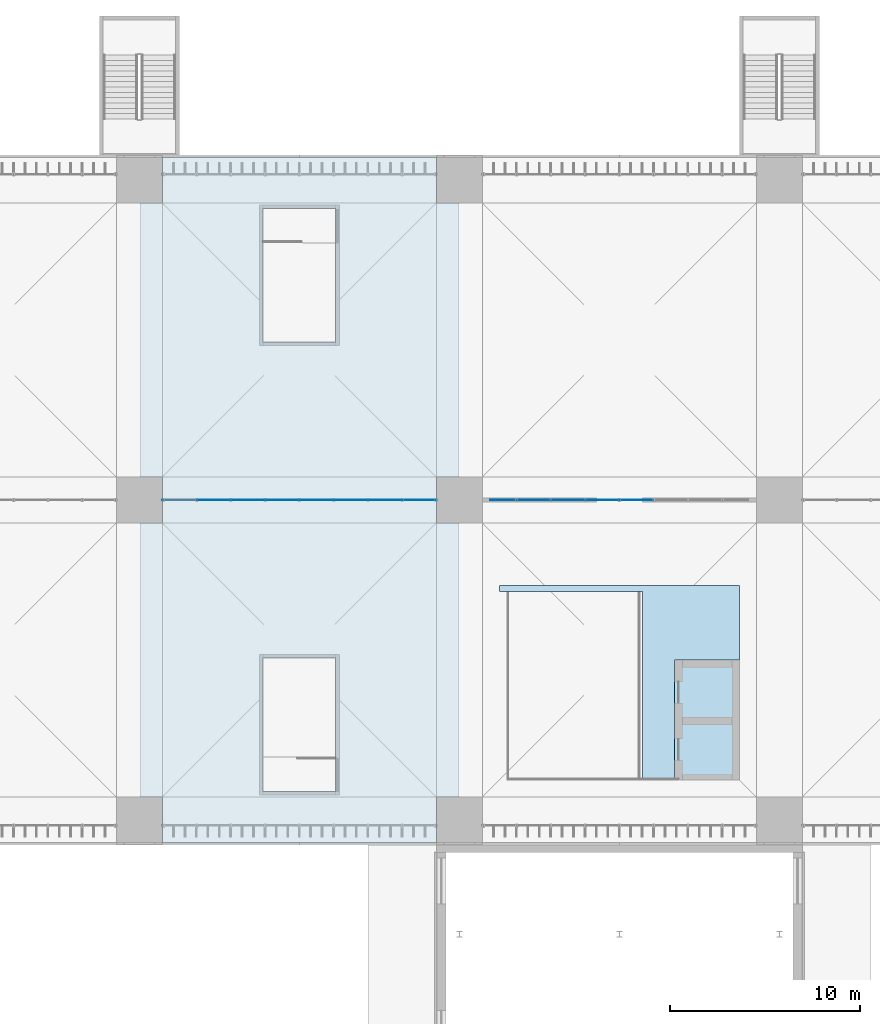
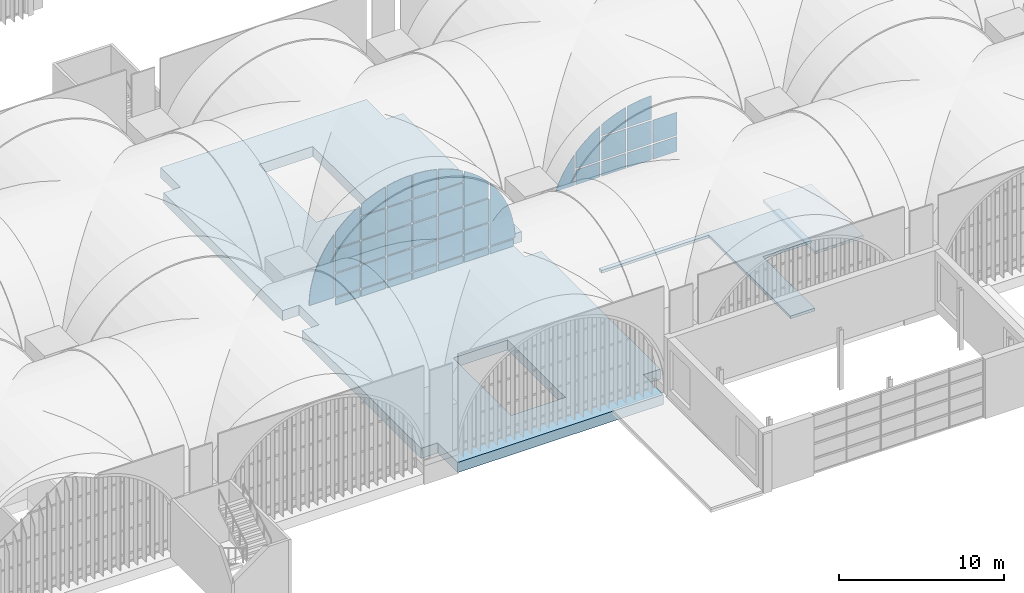
# One storey, part 82 of 169: 42 plates, 3 slabs, 2 elements without a shape of their own.
"""IFC4 building model written with IfcOpenShell, lengths in metres."""

import ifcopenshell
import ifcopenshell.guid

model = None  # the IFC model being written
_history = None  # IfcOwnerHistory: only IFC2X3 demands one
_inside = {}  # id of a spatial element -> (the spatial element, [elements in it])
_under = {}  # id of a project, library or spatial element -> (it, [spatial elements below it])
_declared = {}  # id of a project -> (the project, [libraries it declares])
_typed = {}  # id of a type object -> (the type object, [elements of that type])
_made_of = {}  # id of a material, layer set ... -> (it, [elements and type objects made of it])


def new_model(schema):
    """Start an empty IFC model of exactly this schema.

    Asked for "IFC4X3", IfcOpenShell would pick the latest addendum, in which some entities
    have other attributes; the version numbers below select the first issue.
    IFC2X3 requires an IfcOwnerHistory on every rooted entity: one is made here for all.
    """
    global model, _history
    if schema == "IFC4X3":
        model = ifcopenshell.file(schema_version=(4, 3, 0, 0))
    else:
        model = ifcopenshell.file(schema=schema)
    _inside.clear()
    _under.clear()
    _declared.clear()
    _typed.clear()
    _made_of.clear()
    _history = None
    if model.schema == "IFC2X3":
        org = make("IfcOrganization", Name="unknown")
        user = make(
            "IfcPersonAndOrganization",
            ThePerson=make("IfcPerson", FamilyName="unknown"),
            TheOrganization=org,
        )
        app = make(
            "IfcApplication",
            ApplicationDeveloper=org,
            Version="unknown",
            ApplicationFullName="unknown",
            ApplicationIdentifier="unknown",
        )
        _history = make(
            "IfcOwnerHistory",
            OwningUser=user,
            OwningApplication=app,
            ChangeAction="ADDED",
            CreationDate=0,
        )
    return model


def make(cls, **values):
    """One entity of the class cls with the attributes given. An attribute that is None is left unset."""
    return model.create_entity(
        cls, **{name: value for name, value in values.items() if value is not None}
    )


def rooted(cls, **values):
    """An entity with a GlobalId (a new one), such as an element, a storey or a relation."""
    return make(cls, GlobalId=ifcopenshell.guid.new(), OwnerHistory=_history, **values)


def si_unit(unit_type, name, prefix=None):
    """IfcSIUnit, for example si_unit("LENGTHUNIT", "METRE", prefix="MILLI")."""
    return make("IfcSIUnit", UnitType=unit_type, Prefix=prefix, Name=name)


def assignment(units):
    """IfcUnitAssignment: the units of a project."""
    return None if units is None else make("IfcUnitAssignment", Units=units)


def point(xyz):
    """IfcCartesianPoint."""
    return None if xyz is None else make("IfcCartesianPoint", Coordinates=xyz)


def direction(xyz):
    """IfcDirection."""
    return None if xyz is None else make("IfcDirection", DirectionRatios=xyz)


def frame(location, z_axis=None, x_axis=None):
    """IfcAxis2Placement3D, a coordinate frame: its origin and axes. An axis left out is left unset."""
    return make(
        "IfcAxis2Placement3D",
        Location=point(location),
        Axis=direction(z_axis),
        RefDirection=direction(x_axis),
    )


def origin():
    """The frame at (0, 0, 0) with its axes left unset."""
    return frame((0.0, 0.0, 0.0))


def place(relative_to, where):
    """IfcLocalPlacement: puts the frame where relative to a parent placement (None: the world)."""
    return make(
        "IfcLocalPlacement", PlacementRelTo=relative_to, RelativePlacement=where
    )


def context(
    kind, dimensions, precision=None, world=None, true_north=None, identifier=None
):
    """IfcGeometricRepresentationContext, for example the 3D "Model" context."""
    return make(
        "IfcGeometricRepresentationContext",
        ContextIdentifier=identifier,
        ContextType=kind,
        CoordinateSpaceDimension=dimensions,
        Precision=precision,
        WorldCoordinateSystem=world,
        TrueNorth=true_north,
    )


def subcontext(parent, identifier, kind, view, scale=None):
    """IfcGeometricRepresentationSubContext, for example "Body" below "Model"."""
    return make(
        "IfcGeometricRepresentationSubContext",
        ContextIdentifier=identifier,
        ContextType=kind,
        ParentContext=parent,
        TargetScale=scale,
        TargetView=view,
    )


def project(units=None, contexts=None):
    """IfcProject with its units and contexts."""
    return rooted(
        "IfcProject",
        Name="project",
        RepresentationContexts=contexts,
        UnitsInContext=assignment(units),
    )


def spatial(cls, under=None, at=None, **own):
    """A site, building, storey or space (cls), placed at a placement, below another one or the project."""
    s = rooted(cls, ObjectPlacement=at, **own)
    if under is not None:
        _under.setdefault(under.id(), (under, []))[1].append(s)
    return s


def polyline(points):
    """IfcPolyline through the points."""
    return make("IfcPolyline", Points=[point(p) for p in points])


def outline(outer, holes=None, kind="AREA"):
    """IfcArbitraryClosedProfileDef: a profile drawn as a closed curve; with holes, ...WithVoids."""
    if holes is None:
        return make("IfcArbitraryClosedProfileDef", ProfileType=kind, OuterCurve=outer)
    return make(
        "IfcArbitraryProfileDefWithVoids",
        ProfileType=kind,
        OuterCurve=outer,
        InnerCurves=holes,
    )


def extrude(swept, where, along, depth):
    """IfcExtrudedAreaSolid: the profile swept, set in the frame where, extruded along a direction by depth."""
    return make(
        "IfcExtrudedAreaSolid",
        SweptArea=swept,
        Position=where,
        ExtrudedDirection=direction(along),
        Depth=depth,
    )


def shape(context_of_items, identifier, shape_type, items):
    """IfcShapeRepresentation: the items that make up one representation, for example the "Body"."""
    return make(
        "IfcShapeRepresentation",
        ContextOfItems=context_of_items,
        RepresentationIdentifier=identifier,
        RepresentationType=shape_type,
        Items=items,
    )


def material(Name=None, Category=None):
    """IfcMaterial."""
    return make("IfcMaterial", Name=Name, Category=Category)


def layer(
    of_material, thickness, ventilated=None, Name=None, Category=None, Priority=None
):
    """IfcMaterialLayer: one layer of a wall or slab, of a material (None: an air gap)."""
    return make(
        "IfcMaterialLayer",
        Material=of_material,
        LayerThickness=thickness,
        IsVentilated=ventilated,
        Name=Name,
        Category=Category,
        Priority=Priority,
    )


def layer_set(layers, Name=None):
    """IfcMaterialLayerSet."""
    return make("IfcMaterialLayerSet", MaterialLayers=layers, LayerSetName=Name)


def made_of(thing, what):
    """Note that an element or type object is made of a material, layer set ...; save() writes the relation."""
    if what is not None:
        _made_of.setdefault(what.id(), (what, []))[1].append(thing)
    return thing


def type_object(cls, material=None, **own):
    """A type object (cls), such as IfcWallType, which elements share."""
    return made_of(rooted(cls, **own), material)


def element(
    cls,
    number,
    at=None,
    inside=None,
    cuts=None,
    type_object=None,
    material=None,
    context=None,
    identifier="Body",
    shape_type=None,
    held_by="IfcProductDefinitionShape",
    body=None,
    shapes=None,
    **own,
):
    """One element of the class cls, such as IfcWall. Its Tag is "e" and its number.

    at: its placement. inside: the storey or other place that contains it. cuts: it is an
    opening in that element (IfcRelVoidsElement). A single representation is given by context,
    identifier, shape_type and body (its items); several are given by shapes. held_by: the class
    of the entity that holds the representations. save() writes the other relations.
    """
    e = rooted(cls, Tag="e%d" % number, ObjectPlacement=at, **own)
    if body is not None:
        shapes = [shape(context, identifier, shape_type, body)]
    if shapes is not None:
        e.Representation = make(held_by, Representations=shapes)
    if inside is not None:
        _inside.setdefault(inside.id(), (inside, []))[1].append(e)
    if cuts is not None:
        rooted(
            "IfcRelVoidsElement", RelatingBuildingElement=cuts, RelatedOpeningElement=e
        )
    if type_object is not None:
        _typed.setdefault(type_object.id(), (type_object, []))[1].append(e)
    return made_of(e, material)


def aggregate(whole, parts):
    """IfcRelAggregates: a whole, such as a stair, and the parts it consists of."""
    return rooted("IfcRelAggregates", RelatingObject=whole, RelatedObjects=parts)


def save(model, path):
    """Write the relations noted so far, then the file.

    IfcRelAggregates (storeys below a building ...), IfcRelContainedInSpatialStructure (elements
    in a storey), IfcRelDefinesByType, IfcRelAssociatesMaterial and IfcRelDeclares: one each for
    every whole, place, type object, material and project.
    """
    for whole, parts in _under.values():
        aggregate(whole, parts)
    for where, things in _inside.values():
        rooted(
            "IfcRelContainedInSpatialStructure",
            RelatedElements=things,
            RelatingStructure=where,
        )
    for kind, things in _typed.values():
        rooted("IfcRelDefinesByType", RelatedObjects=things, RelatingType=kind)
    for what, things in _made_of.values():
        rooted("IfcRelAssociatesMaterial", RelatedObjects=things, RelatingMaterial=what)
    for by, libraries in _declared.values():
        rooted("IfcRelDeclares", RelatingContext=by, RelatedDefinitions=libraries)
    model.write(path)


model = new_model("IFC4")

# Units and contexts
model_context = context("Model", 3, precision=1e-05, world=origin(), true_north=direction((0.0, 1.0)))
body_context = subcontext(model_context, "Body", "Model", "MODEL_VIEW")
ifc_project = project(units=[si_unit("LENGTHUNIT", "METRE"), si_unit("AREAUNIT", "SQUARE_METRE"), si_unit("VOLUMEUNIT", "CUBIC_METRE"), si_unit("PLANEANGLEUNIT", "RADIAN"), si_unit("MASSUNIT", "GRAM", prefix="KILO")], contexts=[model_context])

# Site, building, storey
site_placement = place(None, origin())
site = spatial("IfcSite", under=ifc_project, at=site_placement, CompositionType="ELEMENT")
building_placement = place(site_placement, origin())
building = spatial("IfcBuilding", under=site, at=building_placement, Name="Verrick Yard Athletic Hall", CompositionType="ELEMENT")
storey_placement = place(building_placement, frame((0.0, 0.0, 4.39990234375)))
storey = spatial("IfcBuildingStorey", under=building, at=storey_placement, Name="L01", CompositionType="ELEMENT", Elevation=4.39990234375)

# Slabs
ifc_material_1 = material(Name="Concrete 35 MPa", Category="concrete")
ifc_layer_1 = layer(ifc_material_1, 0.199951171875)
ifc_layer_set_1 = layer_set([ifc_layer_1], Name="Core floor slab 200")
slab_type_1 = type_object("IfcSlabType", Name="Core floor slab 200", PredefinedType="FLOOR", material=ifc_layer_set_1)
slab_1_placement = place(storey_placement, frame((0.0, 0.0, -0.199951171875)))
element("IfcSlab", 1, at=slab_1_placement, inside=storey, type_object=slab_type_1, Name="CORE-FOY-LOB-L01", PredefinedType="FLOOR", context=body_context, shape_type="SweptSolid", body=[
    extrude(outline(polyline([(100.0, 21.300048828125), (101.699951171875, 21.300048828125), (101.699951171875, 27.60009765625), (105.10009765625, 27.60009765625), (105.10009765625, 31.5), (92.5, 31.5), (92.5, 31.199951171875), (100.0, 31.199951171875), (100.0, 21.300048828125)])), origin(), (0.0, 0.0, 1.0), 0.199951171875),
])
ifc_layer_2 = layer(ifc_material_1, 0.199951171875)
ifc_layer_set_2 = layer_set([ifc_layer_2], Name="Core roof slab 200")
slab_type_2 = type_object("IfcSlabType", Name="Core roof slab 200", PredefinedType="ROOF", material=ifc_layer_set_2)
slab_2_placement = place(storey_placement, frame((0.0, 0.0, 4.0)))
element("IfcSlab", 2, at=slab_2_placement, inside=storey, type_object=slab_type_2, Name="CORE-FOY-COVER", PredefinedType="ROOF", context=body_context, shape_type="SweptSolid", body=[
    extrude(outline(polyline([(101.699951171875, 21.300048828125), (105.10009765625, 21.300048828125), (105.10009765625, 27.60009765625), (101.699951171875, 27.60009765625), (101.699951171875, 21.300048828125)])), origin(), (0.0, 0.0, 1.0), 0.2001953125),
])

# Curtain wall, plates
ifc_material_2 = material(Name="Aluminium and glass curtain wall", Category="aluminium")
ifc_layer_3 = layer(ifc_material_2, 0.14990234375)
ifc_layer_set_3 = layer_set([ifc_layer_3], Name="Concourse arch screen")
curtain_wall_type_1 = type_object("IfcCurtainWallType", Name="Concourse arch screen", PredefinedType="NOTDEFINED", material=ifc_layer_set_3)
curtain_wall_1_placement = place(storey_placement, origin())
curtain_wall_1 = element("IfcCurtainWall", 3, at=curtain_wall_1_placement, inside=storey, type_object=curtain_wall_type_1, Name="Concourse screen 3", PredefinedType="NOTDEFINED")
ifc_material_3 = material(Name="Laminated glass 28 mm", Category="glass")
ifc_layer_4 = layer(ifc_material_3, 0.028076171875)
ifc_layer_set_4 = layer_set([ifc_layer_4], Name="Curtain wall glass panel")
plate_type = type_object("IfcPlateType", Name="Curtain wall glass panel", PredefinedType="CURTAIN_PANEL", material=ifc_layer_set_4)
plate_1_placement = place(storey_placement, frame((74.800048828125, 36.0, 0.700927734375), z_axis=(0.0, 0.0, 1.0), x_axis=(1.0, 0.0, 0.0)))
plate_1 = element("IfcPlate", 4, at=plate_1_placement, type_object=plate_type, Name="Concourse screen 3 panel 2", PredefinedType="CURTAIN_PANEL", context=body_context, shape_type="SweptSolid", body=[
    extrude(outline(polyline([(1.749267578125, 4.651123046875), (1.6845703125, 4.5771484375), (1.48779296875, 4.332275390625), (1.302001953125, 4.078857421875), (1.127685546875, 3.81787109375), (0.964599609375, 3.549072265625), (0.8134765625, 3.273681640625), (0.674560546875, 2.9921875), (0.548095703125, 2.70458984375), (0.43408203125, 2.41162109375), (0.333251953125, 2.1142578125), (0.245361328125, 1.812744140625), (0.170654296875, 1.507568359375), (0.109375, 1.199462890625), (0.0615234375, 0.888916015625), (0.02734375, 0.57666015625), (0.0068359375, 0.26318359375), (0.001220703125, 0.0), (1.749267578125, 0.0), (1.749267578125, 4.651123046875)])), frame((0.0, 0.01416015625, 0.0), z_axis=(0.0, -1.0, 0.0), x_axis=(1.0, 0.0, 0.0)), (0.0, 0.0, 1.0), 0.028076171875),
])
plate_2_placement = place(storey_placement, frame((74.800048828125, 36.0, 0.101806640625), z_axis=(0.0, 0.0, 1.0), x_axis=(1.0, 0.0, 0.0)))
plate_2 = element("IfcPlate", 5, at=plate_2_placement, type_object=plate_type, Name="Concourse screen 3 panel 3", PredefinedType="CURTAIN_PANEL", context=body_context, shape_type="SweptSolid", body=[
    extrude(outline(polyline([(3.54931640625, 0.0), (3.54931640625, 0.49755859375), (1.850830078125, 0.49755859375), (1.850830078125, 0.0), (3.54931640625, 0.0)])), frame((0.0, 0.01416015625, 0.0), z_axis=(0.0, -1.0, 0.0), x_axis=(1.0, 0.0, 0.0)), (0.0, 0.0, 1.0), 0.028076171875),
])
plate_3_placement = place(storey_placement, frame((74.800048828125, 36.0, 0.700927734375), z_axis=(0.0, 0.0, 1.0), x_axis=(1.0, 0.0, 0.0)))
plate_3 = element("IfcPlate", 6, at=plate_3_placement, type_object=plate_type, Name="Concourse screen 3 panel 4", PredefinedType="CURTAIN_PANEL", context=body_context, shape_type="SweptSolid", body=[
    extrude(outline(polyline([(3.54931640625, 0.0), (3.54931640625, 1.698486328125), (1.850830078125, 1.698486328125), (1.850830078125, 0.0), (3.54931640625, 0.0)])), frame((0.0, 0.01416015625, 0.0), z_axis=(0.0, -1.0, 0.0), x_axis=(1.0, 0.0, 0.0)), (0.0, 0.0, 1.0), 0.028076171875),
])
plate_4_placement = place(storey_placement, frame((74.800048828125, 36.0, 2.5009765625), z_axis=(0.0, 0.0, 1.0), x_axis=(1.0, 0.0, 0.0)))
plate_4 = element("IfcPlate", 7, at=plate_4_placement, type_object=plate_type, Name="Concourse screen 3 panel 5", PredefinedType="CURTAIN_PANEL", context=body_context, shape_type="SweptSolid", body=[
    extrude(outline(polyline([(3.54931640625, 0.0), (3.54931640625, 1.6982421875), (1.850830078125, 1.6982421875), (1.850830078125, 0.0), (3.54931640625, 0.0)])), frame((0.0, 0.01416015625, 0.0), z_axis=(0.0, -1.0, 0.0), x_axis=(1.0, 0.0, 0.0)), (0.0, 0.0, 1.0), 0.028076171875),
])
plate_5_placement = place(storey_placement, frame((74.800048828125, 36.0, 4.30078125), z_axis=(0.0, 0.0, 1.0), x_axis=(1.0, 0.0, 0.0)))
plate_5 = element("IfcPlate", 8, at=plate_5_placement, type_object=plate_type, Name="Concourse screen 3 panel 6", PredefinedType="CURTAIN_PANEL", context=body_context, shape_type="SweptSolid", body=[
    extrude(outline(polyline([(3.54931640625, 2.553955078125), (3.331298828125, 2.421630859375), (3.0703125, 2.247314453125), (2.81689453125, 2.0615234375), (2.572021484375, 1.86474609375), (2.335693359375, 1.65771484375), (2.10888671875, 1.4404296875), (1.8916015625, 1.213623046875), (1.850830078125, 1.1669921875), (1.850830078125, 0.0), (3.54931640625, 0.0), (3.54931640625, 2.553955078125)])), frame((0.0, 0.01416015625, 0.0), z_axis=(0.0, -1.0, 0.0), x_axis=(1.0, 0.0, 0.0)), (0.0, 0.0, 1.0), 0.028076171875),
])
plate_6_placement = place(storey_placement, frame((74.800048828125, 36.0, 0.101806640625), z_axis=(0.0, 0.0, 1.0), x_axis=(1.0, 0.0, 0.0)))
plate_6 = element("IfcPlate", 9, at=plate_6_placement, type_object=plate_type, Name="Concourse screen 3 panel 7", PredefinedType="CURTAIN_PANEL", context=body_context, shape_type="SweptSolid", body=[
    extrude(outline(polyline([(5.34912109375, 0.0), (5.34912109375, 0.49755859375), (3.65087890625, 0.49755859375), (3.65087890625, 0.0), (5.34912109375, 0.0)])), frame((0.0, 0.01416015625, 0.0), z_axis=(0.0, -1.0, 0.0), x_axis=(1.0, 0.0, 0.0)), (0.0, 0.0, 1.0), 0.028076171875),
])
plate_7_placement = place(storey_placement, frame((74.800048828125, 36.0, 0.700927734375), z_axis=(0.0, 0.0, 1.0), x_axis=(1.0, 0.0, 0.0)))
plate_7 = element("IfcPlate", 10, at=plate_7_placement, type_object=plate_type, Name="Concourse screen 3 panel 8", PredefinedType="CURTAIN_PANEL", context=body_context, shape_type="SweptSolid", body=[
    extrude(outline(polyline([(5.34912109375, 0.0), (5.34912109375, 1.698486328125), (3.65087890625, 1.698486328125), (3.65087890625, 0.0), (5.34912109375, 0.0)])), frame((0.0, 0.01416015625, 0.0), z_axis=(0.0, -1.0, 0.0), x_axis=(1.0, 0.0, 0.0)), (0.0, 0.0, 1.0), 0.028076171875),
])
plate_8_placement = place(storey_placement, frame((74.800048828125, 36.0, 2.5009765625), z_axis=(0.0, 0.0, 1.0), x_axis=(1.0, 0.0, 0.0)))
plate_8 = element("IfcPlate", 11, at=plate_8_placement, type_object=plate_type, Name="Concourse screen 3 panel 9", PredefinedType="CURTAIN_PANEL", context=body_context, shape_type="SweptSolid", body=[
    extrude(outline(polyline([(5.34912109375, 0.0), (5.34912109375, 1.6982421875), (3.65087890625, 1.6982421875), (3.65087890625, 0.0), (5.34912109375, 0.0)])), frame((0.0, 0.01416015625, 0.0), z_axis=(0.0, -1.0, 0.0), x_axis=(1.0, 0.0, 0.0)), (0.0, 0.0, 1.0), 0.028076171875),
])
plate_9_placement = place(storey_placement, frame((74.800048828125, 36.0, 4.30078125), z_axis=(0.0, 0.0, 1.0), x_axis=(1.0, 0.0, 0.0)))
plate_9 = element("IfcPlate", 12, at=plate_9_placement, type_object=plate_type, Name="Concourse screen 3 panel 10", PredefinedType="CURTAIN_PANEL", context=body_context, shape_type="SweptSolid", body=[
    extrude(outline(polyline([(5.34912109375, 0.0), (5.34912109375, 1.698486328125), (3.65087890625, 1.698486328125), (3.65087890625, 0.0), (5.34912109375, 0.0)])), frame((0.0, 0.01416015625, 0.0), z_axis=(0.0, -1.0, 0.0), x_axis=(1.0, 0.0, 0.0)), (0.0, 0.0, 1.0), 0.028076171875),
])
plate_10_placement = place(storey_placement, frame((74.800048828125, 36.0, 6.100830078125), z_axis=(0.0, 0.0, 1.0), x_axis=(1.0, 0.0, 0.0)))
plate_10 = element("IfcPlate", 13, at=plate_10_placement, type_object=plate_type, Name="Concourse screen 3 panel 11", PredefinedType="CURTAIN_PANEL", context=body_context, shape_type="SweptSolid", body=[
    extrude(outline(polyline([(5.34912109375, 1.507080078125), (5.33642578125, 1.50390625), (5.034912109375, 1.416015625), (4.737548828125, 1.315185546875), (4.444580078125, 1.201171875), (4.156982421875, 1.07470703125), (3.87548828125, 0.935791015625), (3.65087890625, 0.8125), (3.65087890625, 0.0), (5.34912109375, 0.0), (5.34912109375, 1.507080078125)])), frame((0.0, 0.01416015625, 0.0), z_axis=(0.0, -1.0, 0.0), x_axis=(1.0, 0.0, 0.0)), (0.0, 0.0, 1.0), 0.028076171875),
])
plate_11_placement = place(storey_placement, frame((74.800048828125, 36.0, 0.101806640625), z_axis=(0.0, 0.0, 1.0), x_axis=(1.0, 0.0, 0.0)))
plate_11 = element("IfcPlate", 14, at=plate_11_placement, type_object=plate_type, Name="Concourse screen 3 panel 12", PredefinedType="CURTAIN_PANEL", context=body_context, shape_type="SweptSolid", body=[
    extrude(outline(polyline([(7.149169921875, 0.0), (7.149169921875, 0.49755859375), (5.45068359375, 0.49755859375), (5.45068359375, 0.0), (7.149169921875, 0.0)])), frame((0.0, 0.01416015625, 0.0), z_axis=(0.0, -1.0, 0.0), x_axis=(1.0, 0.0, 0.0)), (0.0, 0.0, 1.0), 0.028076171875),
])
plate_12_placement = place(storey_placement, frame((74.800048828125, 36.0, 0.700927734375), z_axis=(0.0, 0.0, 1.0), x_axis=(1.0, 0.0, 0.0)))
plate_12 = element("IfcPlate", 15, at=plate_12_placement, type_object=plate_type, Name="Concourse screen 3 panel 13", PredefinedType="CURTAIN_PANEL", context=body_context, shape_type="SweptSolid", body=[
    extrude(outline(polyline([(7.149169921875, 0.0), (7.149169921875, 1.698486328125), (5.45068359375, 1.698486328125), (5.45068359375, 0.0), (7.149169921875, 0.0)])), frame((0.0, 0.01416015625, 0.0), z_axis=(0.0, -1.0, 0.0), x_axis=(1.0, 0.0, 0.0)), (0.0, 0.0, 1.0), 0.028076171875),
])
plate_13_placement = place(storey_placement, frame((74.800048828125, 36.0, 2.5009765625), z_axis=(0.0, 0.0, 1.0), x_axis=(1.0, 0.0, 0.0)))
plate_13 = element("IfcPlate", 16, at=plate_13_placement, type_object=plate_type, Name="Concourse screen 3 panel 14", PredefinedType="CURTAIN_PANEL", context=body_context, shape_type="SweptSolid", body=[
    extrude(outline(polyline([(7.149169921875, 0.0), (7.149169921875, 1.6982421875), (5.45068359375, 1.6982421875), (5.45068359375, 0.0), (7.149169921875, 0.0)])), frame((0.0, 0.01416015625, 0.0), z_axis=(0.0, -1.0, 0.0), x_axis=(1.0, 0.0, 0.0)), (0.0, 0.0, 1.0), 0.028076171875),
])
plate_14_placement = place(storey_placement, frame((74.800048828125, 36.0, 4.30078125), z_axis=(0.0, 0.0, 1.0), x_axis=(1.0, 0.0, 0.0)))
plate_14 = element("IfcPlate", 17, at=plate_14_placement, type_object=plate_type, Name="Concourse screen 3 panel 15", PredefinedType="CURTAIN_PANEL", context=body_context, shape_type="SweptSolid", body=[
    extrude(outline(polyline([(7.149169921875, 0.0), (7.149169921875, 1.698486328125), (5.45068359375, 1.698486328125), (5.45068359375, 0.0), (7.149169921875, 0.0)])), frame((0.0, 0.01416015625, 0.0), z_axis=(0.0, -1.0, 0.0), x_axis=(1.0, 0.0, 0.0)), (0.0, 0.0, 1.0), 0.028076171875),
])
plate_15_placement = place(storey_placement, frame((74.800048828125, 36.0, 6.100830078125), z_axis=(0.0, 0.0, 1.0), x_axis=(1.0, 0.0, 0.0)))
plate_15 = element("IfcPlate", 18, at=plate_15_placement, type_object=plate_type, Name="Concourse screen 3 panel 16", PredefinedType="CURTAIN_PANEL", context=body_context, shape_type="SweptSolid", body=[
    extrude(outline(polyline([(7.149169921875, 1.748046875), (6.885986328125, 1.742431640625), (6.572509765625, 1.721923828125), (6.26025390625, 1.687744140625), (5.94970703125, 1.639892578125), (5.6416015625, 1.57861328125), (5.45068359375, 1.531982421875), (5.45068359375, 0.0), (7.149169921875, 0.0), (7.149169921875, 1.748046875)])), frame((0.0, 0.01416015625, 0.0), z_axis=(0.0, -1.0, 0.0), x_axis=(1.0, 0.0, 0.0)), (0.0, 0.0, 1.0), 0.028076171875),
])
plate_16_placement = place(storey_placement, frame((74.800048828125, 36.0, 0.101806640625), z_axis=(0.0, 0.0, 1.0), x_axis=(1.0, 0.0, 0.0)))
plate_16 = element("IfcPlate", 19, at=plate_16_placement, type_object=plate_type, Name="Concourse screen 3 panel 17", PredefinedType="CURTAIN_PANEL", context=body_context, shape_type="SweptSolid", body=[
    extrude(outline(polyline([(8.94921875, 0.0), (8.94921875, 0.49755859375), (7.250732421875, 0.49755859375), (7.250732421875, 0.0), (8.94921875, 0.0)])), frame((0.0, 0.01416015625, 0.0), z_axis=(0.0, -1.0, 0.0), x_axis=(1.0, 0.0, 0.0)), (0.0, 0.0, 1.0), 0.028076171875),
])
plate_17_placement = place(storey_placement, frame((74.800048828125, 36.0, 0.700927734375), z_axis=(0.0, 0.0, 1.0), x_axis=(1.0, 0.0, 0.0)))
plate_17 = element("IfcPlate", 20, at=plate_17_placement, type_object=plate_type, Name="Concourse screen 3 panel 18", PredefinedType="CURTAIN_PANEL", context=body_context, shape_type="SweptSolid", body=[
    extrude(outline(polyline([(8.94921875, 0.0), (8.94921875, 1.698486328125), (7.250732421875, 1.698486328125), (7.250732421875, 0.0), (8.94921875, 0.0)])), frame((0.0, 0.01416015625, 0.0), z_axis=(0.0, -1.0, 0.0), x_axis=(1.0, 0.0, 0.0)), (0.0, 0.0, 1.0), 0.028076171875),
])
plate_18_placement = place(storey_placement, frame((74.800048828125, 36.0, 2.5009765625), z_axis=(0.0, 0.0, 1.0), x_axis=(1.0, 0.0, 0.0)))
plate_18 = element("IfcPlate", 21, at=plate_18_placement, type_object=plate_type, Name="Concourse screen 3 panel 19", PredefinedType="CURTAIN_PANEL", context=body_context, shape_type="SweptSolid", body=[
    extrude(outline(polyline([(8.94921875, 0.0), (8.94921875, 1.6982421875), (7.250732421875, 1.6982421875), (7.250732421875, 0.0), (8.94921875, 0.0)])), frame((0.0, 0.01416015625, 0.0), z_axis=(0.0, -1.0, 0.0), x_axis=(1.0, 0.0, 0.0)), (0.0, 0.0, 1.0), 0.028076171875),
])
plate_19_placement = place(storey_placement, frame((74.800048828125, 36.0, 4.30078125), z_axis=(0.0, 0.0, 1.0), x_axis=(1.0, 0.0, 0.0)))
plate_19 = element("IfcPlate", 22, at=plate_19_placement, type_object=plate_type, Name="Concourse screen 3 panel 20", PredefinedType="CURTAIN_PANEL", context=body_context, shape_type="SweptSolid", body=[
    extrude(outline(polyline([(8.94921875, 0.0), (8.94921875, 1.698486328125), (7.250732421875, 1.698486328125), (7.250732421875, 0.0), (8.94921875, 0.0)])), frame((0.0, 0.01416015625, 0.0), z_axis=(0.0, -1.0, 0.0), x_axis=(1.0, 0.0, 0.0)), (0.0, 0.0, 1.0), 0.028076171875),
])
plate_20_placement = place(storey_placement, frame((74.800048828125, 36.0, 6.100830078125), z_axis=(0.0, 0.0, 1.0), x_axis=(1.0, 0.0, 0.0)))
plate_20 = element("IfcPlate", 23, at=plate_20_placement, type_object=plate_type, Name="Concourse screen 3 panel 21", PredefinedType="CURTAIN_PANEL", context=body_context, shape_type="SweptSolid", body=[
    extrude(outline(polyline([(8.94921875, 1.531982421875), (8.75830078125, 1.57861328125), (8.4501953125, 1.639892578125), (8.139892578125, 1.687744140625), (7.827392578125, 1.721923828125), (7.51416015625, 1.742431640625), (7.250732421875, 1.748046875), (7.250732421875, 0.0), (8.94921875, 0.0), (8.94921875, 1.531982421875)])), frame((0.0, 0.01416015625, 0.0), z_axis=(0.0, -1.0, 0.0), x_axis=(1.0, 0.0, 0.0)), (0.0, 0.0, 1.0), 0.028076171875),
])
plate_21_placement = place(storey_placement, frame((74.800048828125, 36.0, 0.101806640625), z_axis=(0.0, 0.0, 1.0), x_axis=(1.0, 0.0, 0.0)))
plate_21 = element("IfcPlate", 24, at=plate_21_placement, type_object=plate_type, Name="Concourse screen 3 panel 22", PredefinedType="CURTAIN_PANEL", context=body_context, shape_type="SweptSolid", body=[
    extrude(outline(polyline([(10.749267578125, 0.0), (10.749267578125, 0.49755859375), (9.05078125, 0.49755859375), (9.05078125, 0.0), (10.749267578125, 0.0)])), frame((0.0, 0.01416015625, 0.0), z_axis=(0.0, -1.0, 0.0), x_axis=(1.0, 0.0, 0.0)), (0.0, 0.0, 1.0), 0.028076171875),
])
plate_22_placement = place(storey_placement, frame((74.800048828125, 36.0, 0.700927734375), z_axis=(0.0, 0.0, 1.0), x_axis=(1.0, 0.0, 0.0)))
plate_22 = element("IfcPlate", 25, at=plate_22_placement, type_object=plate_type, Name="Concourse screen 3 panel 23", PredefinedType="CURTAIN_PANEL", context=body_context, shape_type="SweptSolid", body=[
    extrude(outline(polyline([(10.749267578125, 0.0), (10.749267578125, 1.698486328125), (9.05078125, 1.698486328125), (9.05078125, 0.0), (10.749267578125, 0.0)])), frame((0.0, 0.01416015625, 0.0), z_axis=(0.0, -1.0, 0.0), x_axis=(1.0, 0.0, 0.0)), (0.0, 0.0, 1.0), 0.028076171875),
])
plate_23_placement = place(storey_placement, frame((74.800048828125, 36.0, 2.5009765625), z_axis=(0.0, 0.0, 1.0), x_axis=(1.0, 0.0, 0.0)))
plate_23 = element("IfcPlate", 26, at=plate_23_placement, type_object=plate_type, Name="Concourse screen 3 panel 24", PredefinedType="CURTAIN_PANEL", context=body_context, shape_type="SweptSolid", body=[
    extrude(outline(polyline([(10.749267578125, 0.0), (10.749267578125, 1.6982421875), (9.05078125, 1.6982421875), (9.05078125, 0.0), (10.749267578125, 0.0)])), frame((0.0, 0.01416015625, 0.0), z_axis=(0.0, -1.0, 0.0), x_axis=(1.0, 0.0, 0.0)), (0.0, 0.0, 1.0), 0.028076171875),
])
plate_24_placement = place(storey_placement, frame((74.800048828125, 36.0, 4.30078125), z_axis=(0.0, 0.0, 1.0), x_axis=(1.0, 0.0, 0.0)))
plate_24 = element("IfcPlate", 27, at=plate_24_placement, type_object=plate_type, Name="Concourse screen 3 panel 25", PredefinedType="CURTAIN_PANEL", context=body_context, shape_type="SweptSolid", body=[
    extrude(outline(polyline([(10.749267578125, 0.0), (10.749267578125, 1.698486328125), (9.05078125, 1.698486328125), (9.05078125, 0.0), (10.749267578125, 0.0)])), frame((0.0, 0.01416015625, 0.0), z_axis=(0.0, -1.0, 0.0), x_axis=(1.0, 0.0, 0.0)), (0.0, 0.0, 1.0), 0.028076171875),
])
plate_25_placement = place(storey_placement, frame((74.800048828125, 36.0, 6.100830078125), z_axis=(0.0, 0.0, 1.0), x_axis=(1.0, 0.0, 0.0)))
plate_25 = element("IfcPlate", 28, at=plate_25_placement, type_object=plate_type, Name="Concourse screen 3 panel 26", PredefinedType="CURTAIN_PANEL", context=body_context, shape_type="SweptSolid", body=[
    extrude(outline(polyline([(10.749267578125, 0.8125), (10.524658203125, 0.935791015625), (10.242919921875, 1.07470703125), (9.955322265625, 1.201171875), (9.66259765625, 1.315185546875), (9.364990234375, 1.416015625), (9.0634765625, 1.50390625), (9.05078125, 1.507080078125), (9.05078125, 0.0), (10.749267578125, 0.0), (10.749267578125, 0.8125)])), frame((0.0, 0.01416015625, 0.0), z_axis=(0.0, -1.0, 0.0), x_axis=(1.0, 0.0, 0.0)), (0.0, 0.0, 1.0), 0.028076171875),
])
plate_26_placement = place(storey_placement, frame((74.800048828125, 36.0, 0.101806640625), z_axis=(0.0, 0.0, 1.0), x_axis=(1.0, 0.0, 0.0)))
plate_26 = element("IfcPlate", 29, at=plate_26_placement, type_object=plate_type, Name="Concourse screen 3 panel 27", PredefinedType="CURTAIN_PANEL", context=body_context, shape_type="SweptSolid", body=[
    extrude(outline(polyline([(12.54931640625, 0.0), (12.54931640625, 0.49755859375), (10.850830078125, 0.49755859375), (10.850830078125, 0.0), (12.54931640625, 0.0)])), frame((0.0, 0.01416015625, 0.0), z_axis=(0.0, -1.0, 0.0), x_axis=(1.0, 0.0, 0.0)), (0.0, 0.0, 1.0), 0.028076171875),
])
plate_27_placement = place(storey_placement, frame((74.800048828125, 36.0, 0.700927734375), z_axis=(0.0, 0.0, 1.0), x_axis=(1.0, 0.0, 0.0)))
plate_27 = element("IfcPlate", 30, at=plate_27_placement, type_object=plate_type, Name="Concourse screen 3 panel 28", PredefinedType="CURTAIN_PANEL", context=body_context, shape_type="SweptSolid", body=[
    extrude(outline(polyline([(12.54931640625, 0.0), (12.54931640625, 1.698486328125), (10.850830078125, 1.698486328125), (10.850830078125, 0.0), (12.54931640625, 0.0)])), frame((0.0, 0.01416015625, 0.0), z_axis=(0.0, -1.0, 0.0), x_axis=(1.0, 0.0, 0.0)), (0.0, 0.0, 1.0), 0.028076171875),
])
plate_28_placement = place(storey_placement, frame((74.800048828125, 36.0, 2.5009765625), z_axis=(0.0, 0.0, 1.0), x_axis=(1.0, 0.0, 0.0)))
plate_28 = element("IfcPlate", 31, at=plate_28_placement, type_object=plate_type, Name="Concourse screen 3 panel 29", PredefinedType="CURTAIN_PANEL", context=body_context, shape_type="SweptSolid", body=[
    extrude(outline(polyline([(12.54931640625, 0.0), (12.54931640625, 1.6982421875), (10.850830078125, 1.6982421875), (10.850830078125, 0.0), (12.54931640625, 0.0)])), frame((0.0, 0.01416015625, 0.0), z_axis=(0.0, -1.0, 0.0), x_axis=(1.0, 0.0, 0.0)), (0.0, 0.0, 1.0), 0.028076171875),
])
plate_29_placement = place(storey_placement, frame((74.800048828125, 36.0, 4.30078125), z_axis=(0.0, 0.0, 1.0), x_axis=(1.0, 0.0, 0.0)))
plate_29 = element("IfcPlate", 32, at=plate_29_placement, type_object=plate_type, Name="Concourse screen 3 panel 30", PredefinedType="CURTAIN_PANEL", context=body_context, shape_type="SweptSolid", body=[
    extrude(outline(polyline([(12.54931640625, 1.1669921875), (12.50830078125, 1.213623046875), (12.291259765625, 1.4404296875), (12.064208984375, 1.65771484375), (11.828125, 1.86474609375), (11.5830078125, 2.0615234375), (11.329833984375, 2.247314453125), (11.068603515625, 2.421630859375), (10.850830078125, 2.553955078125), (10.850830078125, 0.0), (12.54931640625, 0.0), (12.54931640625, 1.1669921875)])), frame((0.0, 0.01416015625, 0.0), z_axis=(0.0, -1.0, 0.0), x_axis=(1.0, 0.0, 0.0)), (0.0, 0.0, 1.0), 0.028076171875),
])
plate_30_placement = place(storey_placement, frame((74.800048828125, 36.0, 0.101806640625), z_axis=(0.0, 0.0, 1.0), x_axis=(1.0, 0.0, 0.0)))
plate_30 = element("IfcPlate", 33, at=plate_30_placement, type_object=plate_type, Name="Concourse screen 3 panel 31", PredefinedType="CURTAIN_PANEL", context=body_context, shape_type="SweptSolid", body=[
    extrude(outline(polyline([(14.2978515625, 0.0), (14.2978515625, 0.49755859375), (12.65087890625, 0.49755859375), (12.65087890625, 0.0), (14.2978515625, 0.0)])), frame((0.0, 0.01416015625, 0.0), z_axis=(0.0, -1.0, 0.0), x_axis=(1.0, 0.0, 0.0)), (0.0, 0.0, 1.0), 0.028076171875),
])
plate_31_placement = place(storey_placement, frame((74.800048828125, 36.0, 0.700927734375), z_axis=(0.0, 0.0, 1.0), x_axis=(1.0, 0.0, 0.0)))
plate_31 = element("IfcPlate", 34, at=plate_31_placement, type_object=plate_type, Name="Concourse screen 3 panel 32", PredefinedType="CURTAIN_PANEL", context=body_context, shape_type="SweptSolid", body=[
    extrude(outline(polyline([(14.39892578125, 0.0), (14.39306640625, 0.26318359375), (14.37255859375, 0.57666015625), (14.33837890625, 0.888916015625), (14.29052734375, 1.199462890625), (14.229248046875, 1.507568359375), (14.15478515625, 1.812744140625), (14.06689453125, 2.1142578125), (13.9658203125, 2.41162109375), (13.851806640625, 2.70458984375), (13.725341796875, 2.9921875), (13.58642578125, 3.273681640625), (13.435302734375, 3.549072265625), (13.2724609375, 3.81787109375), (13.097900390625, 4.078857421875), (12.912109375, 4.332275390625), (12.715576171875, 4.5771484375), (12.65087890625, 4.651123046875), (12.65087890625, 0.0), (14.39892578125, 0.0)])), frame((0.0, 0.01416015625, 0.0), z_axis=(0.0, -1.0, 0.0), x_axis=(1.0, 0.0, 0.0)), (0.0, 0.0, 1.0), 0.028076171875),
])
aggregate(curtain_wall_1, [plate_1, plate_2, plate_3, plate_4, plate_5, plate_6, plate_7, plate_8, plate_9, plate_10, plate_11, plate_12, plate_13, plate_14, plate_15, plate_16, plate_17, plate_18, plate_19, plate_20, plate_21, plate_22, plate_23, plate_24, plate_25, plate_26, plate_27, plate_28, plate_29, plate_30, plate_31])

ifc_layer_5 = layer(ifc_material_2, 0.14990234375)
ifc_layer_set_5 = layer_set([ifc_layer_5], Name="Concourse door screen arch")
curtain_wall_type_2 = type_object("IfcCurtainWallType", Name="Concourse door screen arch", PredefinedType="NOTDEFINED", material=ifc_layer_set_5)
curtain_wall_2_placement = place(storey_placement, origin())
curtain_wall_2 = element("IfcCurtainWall", 35, at=curtain_wall_2_placement, inside=storey, type_object=curtain_wall_type_2, Name="Concourse screen 4", PredefinedType="NOTDEFINED")
plate_32_placement = place(storey_placement, frame((91.60009765625, 36.0, 3.101806640625), z_axis=(0.0, 0.0, 1.0), x_axis=(1.0, 0.0, 0.0)))
plate_32 = element("IfcPlate", 36, at=plate_32_placement, type_object=plate_type, Name="Concourse screen 4 panel 1", PredefinedType="CURTAIN_PANEL", context=body_context, shape_type="SweptSolid", body=[
    extrude(outline(polyline([(1.749267578125, 2.250244140625), (1.6845703125, 2.17626953125), (1.48779296875, 1.931396484375), (1.302001953125, 1.677978515625), (1.127685546875, 1.4169921875), (0.964599609375, 1.148193359375), (0.8134765625, 0.872802734375), (0.674560546875, 0.59130859375), (0.548095703125, 0.3037109375), (0.43408203125, 0.0107421875), (0.430419921875, 0.0), (1.749267578125, 0.0), (1.749267578125, 2.250244140625)])), frame((0.0, 0.01416015625, 0.0), z_axis=(0.0, -1.0, 0.0), x_axis=(1.0, 0.0, 0.0)), (0.0, 0.0, 1.0), 0.028076171875),
])
plate_33_placement = place(storey_placement, frame((91.60009765625, 36.0, 3.101806640625), z_axis=(0.0, 0.0, 1.0), x_axis=(1.0, 0.0, 0.0)))
plate_33 = element("IfcPlate", 37, at=plate_33_placement, type_object=plate_type, Name="Concourse screen 4 panel 2", PredefinedType="CURTAIN_PANEL", context=body_context, shape_type="SweptSolid", body=[
    extrude(outline(polyline([(3.54931640625, 0.0), (3.54931640625, 1.097412109375), (1.850830078125, 1.097412109375), (1.850830078125, 0.0), (3.54931640625, 0.0)])), frame((0.0, 0.01416015625, 0.0), z_axis=(0.0, -1.0, 0.0), x_axis=(1.0, 0.0, 0.0)), (0.0, 0.0, 1.0), 0.028076171875),
])
plate_34_placement = place(storey_placement, frame((91.60009765625, 36.0, 4.30078125), z_axis=(0.0, 0.0, 1.0), x_axis=(1.0, 0.0, 0.0)))
plate_34 = element("IfcPlate", 38, at=plate_34_placement, type_object=plate_type, Name="Concourse screen 4 panel 3", PredefinedType="CURTAIN_PANEL", context=body_context, shape_type="SweptSolid", body=[
    extrude(outline(polyline([(3.54931640625, 2.553955078125), (3.331298828125, 2.421630859375), (3.0703125, 2.247314453125), (2.81689453125, 2.0615234375), (2.572021484375, 1.86474609375), (2.335693359375, 1.65771484375), (2.10888671875, 1.4404296875), (1.8916015625, 1.213623046875), (1.850830078125, 1.1669921875), (1.850830078125, 0.0), (3.54931640625, 0.0), (3.54931640625, 2.553955078125)])), frame((0.0, 0.01416015625, 0.0), z_axis=(0.0, -1.0, 0.0), x_axis=(1.0, 0.0, 0.0)), (0.0, 0.0, 1.0), 0.028076171875),
])
plate_35_placement = place(storey_placement, frame((91.60009765625, 36.0, 3.101806640625), z_axis=(0.0, 0.0, 1.0), x_axis=(1.0, 0.0, 0.0)))
plate_35 = element("IfcPlate", 39, at=plate_35_placement, type_object=plate_type, Name="Concourse screen 4 panel 4", PredefinedType="CURTAIN_PANEL", context=body_context, shape_type="SweptSolid", body=[
    extrude(outline(polyline([(5.34912109375, 0.0), (5.34912109375, 1.097412109375), (3.65087890625, 1.097412109375), (3.65087890625, 0.0), (5.34912109375, 0.0)])), frame((0.0, 0.01416015625, 0.0), z_axis=(0.0, -1.0, 0.0), x_axis=(1.0, 0.0, 0.0)), (0.0, 0.0, 1.0), 0.028076171875),
])
plate_36_placement = place(storey_placement, frame((91.60009765625, 36.0, 4.30078125), z_axis=(0.0, 0.0, 1.0), x_axis=(1.0, 0.0, 0.0)))
plate_36 = element("IfcPlate", 40, at=plate_36_placement, type_object=plate_type, Name="Concourse screen 4 panel 5", PredefinedType="CURTAIN_PANEL", context=body_context, shape_type="SweptSolid", body=[
    extrude(outline(polyline([(5.34912109375, 0.0), (5.34912109375, 1.698486328125), (3.65087890625, 1.698486328125), (3.65087890625, 0.0), (5.34912109375, 0.0)])), frame((0.0, 0.01416015625, 0.0), z_axis=(0.0, -1.0, 0.0), x_axis=(1.0, 0.0, 0.0)), (0.0, 0.0, 1.0), 0.028076171875),
])
plate_37_placement = place(storey_placement, frame((91.60009765625, 36.0, 6.100830078125), z_axis=(0.0, 0.0, 1.0), x_axis=(1.0, 0.0, 0.0)))
plate_37 = element("IfcPlate", 41, at=plate_37_placement, type_object=plate_type, Name="Concourse screen 4 panel 6", PredefinedType="CURTAIN_PANEL", context=body_context, shape_type="SweptSolid", body=[
    extrude(outline(polyline([(5.34912109375, 1.507080078125), (5.33642578125, 1.50390625), (5.034912109375, 1.416015625), (4.737548828125, 1.315185546875), (4.444580078125, 1.201171875), (4.156982421875, 1.07470703125), (3.87548828125, 0.935791015625), (3.65087890625, 0.8125), (3.65087890625, 0.0), (5.34912109375, 0.0), (5.34912109375, 1.507080078125)])), frame((0.0, 0.01416015625, 0.0), z_axis=(0.0, -1.0, 0.0), x_axis=(1.0, 0.0, 0.0)), (0.0, 0.0, 1.0), 0.028076171875),
])
plate_38_placement = place(storey_placement, frame((91.60009765625, 36.0, 3.101806640625), z_axis=(0.0, 0.0, 1.0), x_axis=(1.0, 0.0, 0.0)))
plate_38 = element("IfcPlate", 42, at=plate_38_placement, type_object=plate_type, Name="Concourse screen 4 panel 7", PredefinedType="CURTAIN_PANEL", context=body_context, shape_type="SweptSolid", body=[
    extrude(outline(polyline([(7.149169921875, 0.0), (7.149169921875, 1.097412109375), (5.45068359375, 1.097412109375), (5.45068359375, 0.0), (7.149169921875, 0.0)])), frame((0.0, 0.01416015625, 0.0), z_axis=(0.0, -1.0, 0.0), x_axis=(1.0, 0.0, 0.0)), (0.0, 0.0, 1.0), 0.028076171875),
])
plate_39_placement = place(storey_placement, frame((91.60009765625, 36.0, 4.30078125), z_axis=(0.0, 0.0, 1.0), x_axis=(1.0, 0.0, 0.0)))
plate_39 = element("IfcPlate", 43, at=plate_39_placement, type_object=plate_type, Name="Concourse screen 4 panel 8", PredefinedType="CURTAIN_PANEL", context=body_context, shape_type="SweptSolid", body=[
    extrude(outline(polyline([(7.149169921875, 0.0), (7.149169921875, 1.698486328125), (5.45068359375, 1.698486328125), (5.45068359375, 0.0), (7.149169921875, 0.0)])), frame((0.0, 0.01416015625, 0.0), z_axis=(0.0, -1.0, 0.0), x_axis=(1.0, 0.0, 0.0)), (0.0, 0.0, 1.0), 0.028076171875),
])
plate_40_placement = place(storey_placement, frame((91.60009765625, 36.0, 6.100830078125), z_axis=(0.0, 0.0, 1.0), x_axis=(1.0, 0.0, 0.0)))
plate_40 = element("IfcPlate", 44, at=plate_40_placement, type_object=plate_type, Name="Concourse screen 4 panel 9", PredefinedType="CURTAIN_PANEL", context=body_context, shape_type="SweptSolid", body=[
    extrude(outline(polyline([(7.149169921875, 1.748046875), (6.885986328125, 1.742431640625), (6.572509765625, 1.721923828125), (6.26025390625, 1.687744140625), (5.94970703125, 1.639892578125), (5.6416015625, 1.57861328125), (5.45068359375, 1.531982421875), (5.45068359375, 0.0), (7.149169921875, 0.0), (7.149169921875, 1.748046875)])), frame((0.0, 0.01416015625, 0.0), z_axis=(0.0, -1.0, 0.0), x_axis=(1.0, 0.0, 0.0)), (0.0, 0.0, 1.0), 0.028076171875),
])
plate_41_placement = place(storey_placement, frame((91.60009765625, 36.0, 3.101806640625), z_axis=(0.0, 0.0, 1.0), x_axis=(1.0, 0.0, 0.0)))
plate_41 = element("IfcPlate", 45, at=plate_41_placement, type_object=plate_type, Name="Concourse screen 4 panel 10", PredefinedType="CURTAIN_PANEL", context=body_context, shape_type="SweptSolid", body=[
    extrude(outline(polyline([(8.94921875, 0.0), (8.94921875, 1.097412109375), (7.250732421875, 1.097412109375), (7.250732421875, 0.0), (8.94921875, 0.0)])), frame((0.0, 0.01416015625, 0.0), z_axis=(0.0, -1.0, 0.0), x_axis=(1.0, 0.0, 0.0)), (0.0, 0.0, 1.0), 0.028076171875),
])
plate_42_placement = place(storey_placement, frame((91.60009765625, 36.0, 4.30078125), z_axis=(0.0, 0.0, 1.0), x_axis=(1.0, 0.0, 0.0)))
plate_42 = element("IfcPlate", 46, at=plate_42_placement, type_object=plate_type, Name="Concourse screen 4 panel 11", PredefinedType="CURTAIN_PANEL", context=body_context, shape_type="SweptSolid", body=[
    extrude(outline(polyline([(8.94921875, 0.0), (8.94921875, 1.698486328125), (7.250732421875, 1.698486328125), (7.250732421875, 0.0), (8.94921875, 0.0)])), frame((0.0, 0.01416015625, 0.0), z_axis=(0.0, -1.0, 0.0), x_axis=(1.0, 0.0, 0.0)), (0.0, 0.0, 1.0), 0.028076171875),
])
aggregate(curtain_wall_2, [plate_32, plate_33, plate_34, plate_35, plate_36, plate_37, plate_38, plate_39, plate_40, plate_41, plate_42])

# Slab
ifc_layer_6 = layer(ifc_material_1, 0.75)
ifc_layer_set_6 = layer_set([ifc_layer_6], Name="STR Flat slab SL2")
slab_type_3 = type_object("IfcSlabType", Name="STR Flat slab SL2", PredefinedType="FLOOR", material=ifc_layer_set_6)
slab_3_placement = place(storey_placement, frame((0.0, 0.0, -0.75)))
element("IfcSlab", 47, at=slab_3_placement, inside=storey, type_object=slab_type_3, Name="STR-SL-L01-Z2A", PredefinedType="FLOOR", context=body_context, shape_type="SweptSolid", body=[
    extrude(outline(polyline([(89.199951171875, 20.39990234375), (90.375, 20.39990234375), (90.375, 34.800048828125), (89.199951171875, 34.800048828125), (89.199951171875, 37.199951171875), (90.375, 37.199951171875), (90.375, 51.60009765625), (89.199951171875, 51.60009765625), (89.199951171875, 54.0), (74.800048828125, 54.0), (74.800048828125, 51.60009765625), (73.625, 51.60009765625), (73.625, 37.199951171875), (74.800048828125, 37.199951171875), (74.800048828125, 34.800048828125), (73.625, 34.800048828125), (73.625, 20.39990234375), (74.800048828125, 20.39990234375), (74.800048828125, 18.0), (89.199951171875, 18.0), (89.199951171875, 20.39990234375)]), holes=[polyline([(80.10009765625, 20.699951171875), (80.10009765625, 27.699951171875), (83.89990234375, 27.699951171875), (83.89990234375, 20.699951171875), (80.10009765625, 20.699951171875)]), polyline([(80.10009765625, 44.300048828125), (80.10009765625, 51.300048828125), (83.89990234375, 51.300048828125), (83.89990234375, 44.300048828125), (80.10009765625, 44.300048828125)])]), origin(), (0.0, 0.0, 1.0), 0.75),
])

save(model, "model.ifc")
